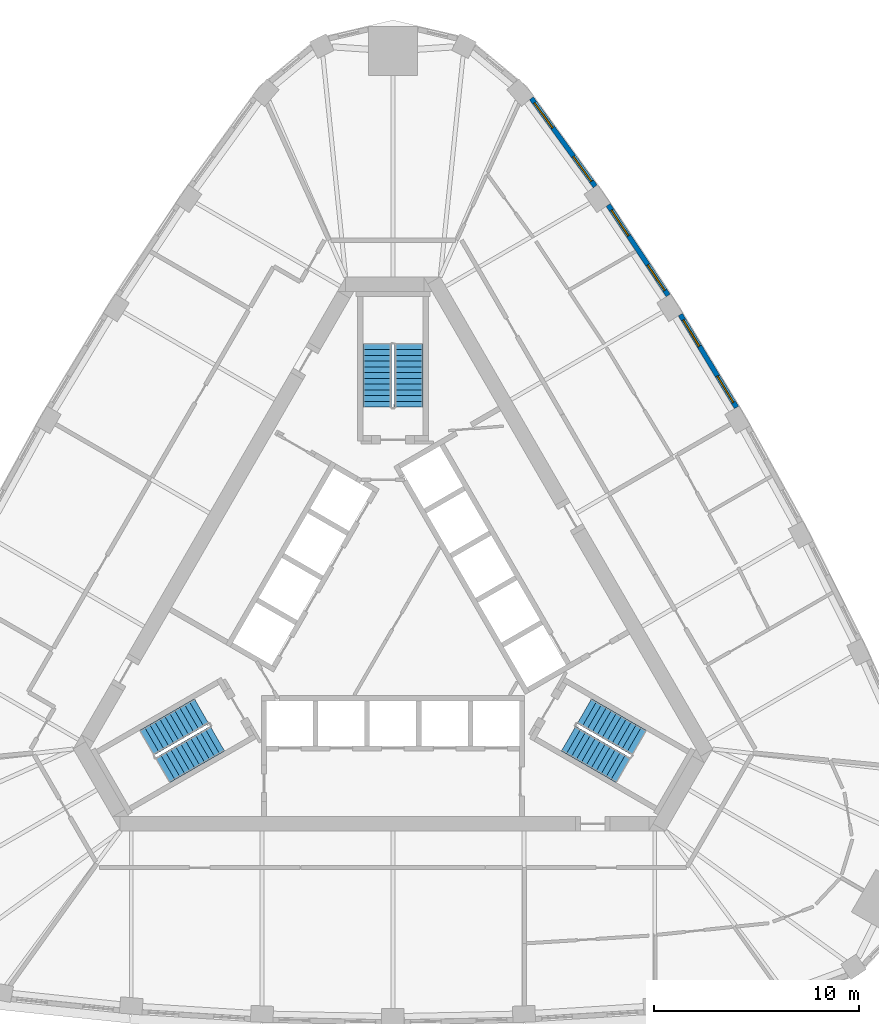
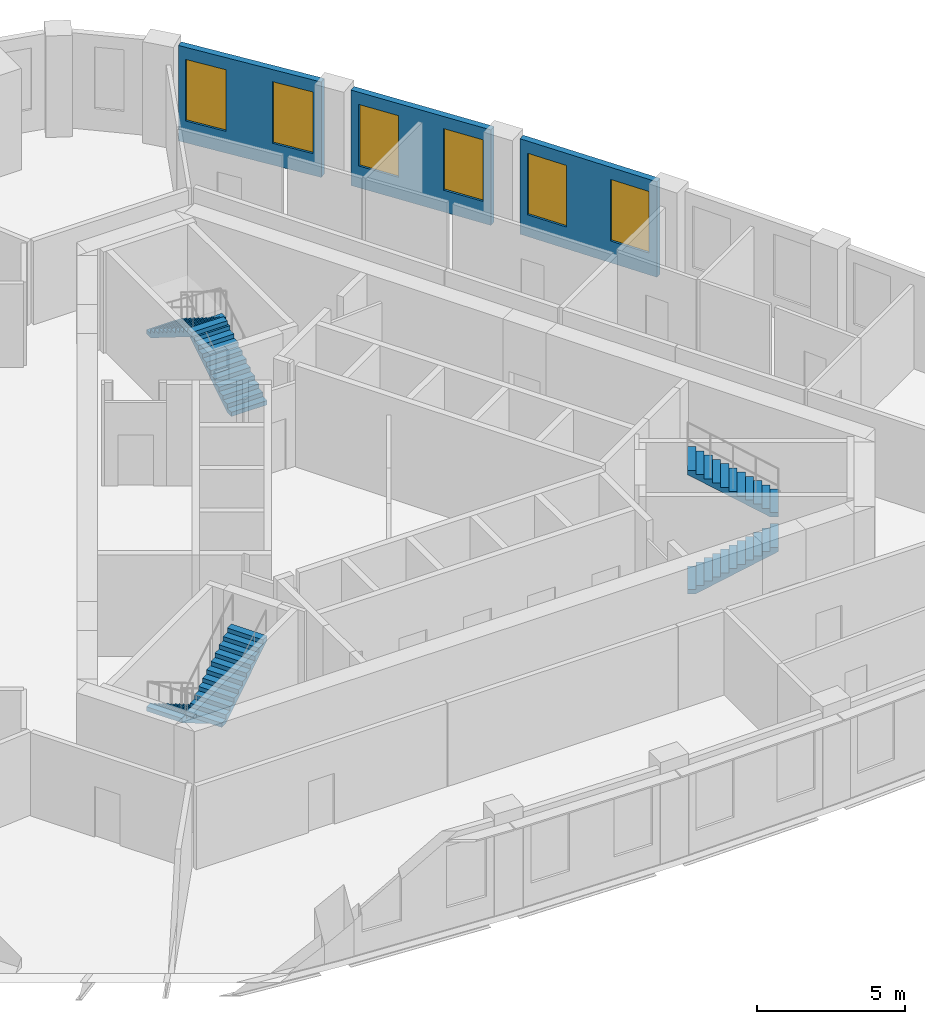
# One storey, part 9 of 10: 6 stair flights, 6 windows, 3 walls, 6 openings, 3 elements without a shape of their own.
"""IFC4 building model written with IfcOpenShell, lengths in metres."""

from ifc_helpers import new_model, si_unit, direction, frame, frame_2d, origin, place, context, subcontext, project, spatial, polyline, rectangle, outline, extrude, material, layer, layer_set, type_object, element, fill, aggregate, save


model = new_model("IFC4")

# Units and contexts
model_context = context("Model", 3, precision=1e-05, world=origin(), true_north=direction((0.0, 1.0)))
body_context = subcontext(model_context, "Body", "Model", "MODEL_VIEW")
ifc_project = project(units=[si_unit("LENGTHUNIT", "METRE"), si_unit("AREAUNIT", "SQUARE_METRE"), si_unit("VOLUMEUNIT", "CUBIC_METRE"), si_unit("PLANEANGLEUNIT", "RADIAN"), si_unit("MASSUNIT", "GRAM", prefix="KILO")], contexts=[model_context])

# Site, building, storey
site_placement = place(None, origin())
site = spatial("IfcSite", under=ifc_project, at=site_placement, CompositionType="ELEMENT")
building_placement = place(site_placement, origin())
building = spatial("IfcBuilding", under=site, at=building_placement, Name="Mestral Congress Tower", CompositionType="ELEMENT")
storey_placement = place(building_placement, frame((0.0, 0.0, 231.0)))
storey = spatial("IfcBuildingStorey", under=building, at=storey_placement, Name="L54", CompositionType="ELEMENT", Elevation=231.0)

# Wall, openings, windows
ifc_material_1 = material(Name="Precast concrete C40/50 with limestone facing", Category="masonry")
ifc_layer = layer(ifc_material_1, 0.239990234375)
ifc_layer_set = layer_set([ifc_layer], Name="Precast concrete C40/50 with limestone facing")
wall_type = type_object("IfcWallType", Name="Facade stone wall 240", PredefinedType="SOLIDWALL", material=ifc_layer_set)
wall_1_placement = place(storey_placement, frame((16.78173828125, 10.331298828125, 0.0), z_axis=(0.0, 0.0, 1.0), x_axis=(-0.517846166225, 0.855473756538, 0.0)))
wall_1 = element("IfcWall", 1, at=wall_1_placement, inside=storey, type_object=wall_type, Name="Facade wall F1-03", PredefinedType="SOLIDWALL", context=body_context, shape_type="SweptSolid", body=[
    extrude(rectangle(XDim=5.298095703125, YDim=0.239990234375, at=frame_2d((2.64892578125, 0.0))), origin(), (0.0, 0.0, 1.0), 3.949951171875),
])
opening_1_placement = place(wall_1_placement, frame((0.29443359375, 0.0, 0.89990234375)))
opening_1 = element("IfcOpeningElement", 2, at=opening_1_placement, cuts=wall_1, Name="Opening W4", PredefinedType="OPENING", context=body_context, shape_type="SweptSolid", body=[
    extrude(rectangle(XDim=1.5, YDim=2.550048828125, at=frame_2d((0.75, 1.27490234375))), frame((0.0, 0.1298828125, 0.0), z_axis=(0.0, -1.0, 0.0), x_axis=(1.0, 0.0, 0.0)), (0.0, 0.0, 1.0), 0.260009765625),
])
opening_2_placement = place(wall_1_placement, frame((3.503662109375, 0.0, 0.89990234375)))
opening_2 = element("IfcOpeningElement", 3, at=opening_2_placement, cuts=wall_1, Name="Opening W4", PredefinedType="OPENING", context=body_context, shape_type="SweptSolid", body=[
    extrude(rectangle(XDim=1.5, YDim=2.550048828125, at=frame_2d((0.75, 1.27490234375))), frame((0.0, 0.1298828125, 0.0), z_axis=(0.0, -1.0, 0.0), x_axis=(1.0, 0.0, 0.0)), (0.0, 0.0, 1.0), 0.260009765625),
])
ifc_material_2 = material(Name="Clear low-emissivity double glazing", Category="glass")
window_type = type_object("IfcWindowType", Name="Facade punched window 1500 x 2550 sill 900", PartitioningType="SINGLE_PANEL", PredefinedType="WINDOW", material=ifc_material_2)
window_1_placement = place(opening_1_placement, origin())
window_1 = element("IfcWindow", 4, at=window_1_placement, inside=storey, type_object=window_type, Name="Window F1-03a", OverallHeight=2.550048828125, OverallWidth=1.5, PartitioningType="SINGLE_PANEL", PredefinedType="WINDOW", context=body_context, shape_type="SweptSolid", body=[
    extrude(rectangle(XDim=1.5, YDim=2.550048828125, at=frame_2d((0.75, 1.27490234375))), frame((0.0, 0.0400390625, 0.0), z_axis=(0.0, -1.0, 0.0), x_axis=(1.0, 0.0, 0.0)), (0.0, 0.0, 1.0), 0.06005859375),
])
fill(opening_1, window_1)
window_2_placement = place(opening_2_placement, origin())
window_2 = element("IfcWindow", 5, at=window_2_placement, inside=storey, type_object=window_type, Name="Window F1-03b", OverallHeight=2.550048828125, OverallWidth=1.5, PartitioningType="SINGLE_PANEL", PredefinedType="WINDOW", context=body_context, shape_type="SweptSolid", body=[
    extrude(rectangle(XDim=1.5, YDim=2.550048828125, at=frame_2d((0.75, 1.27490234375))), frame((0.0, 0.0400390625, 0.0), z_axis=(0.0, -1.0, 0.0), x_axis=(1.0, 0.0, 0.0)), (0.0, 0.0, 1.0), 0.06005859375),
])
fill(opening_2, window_2)

wall_2_placement = place(storey_placement, frame((13.442138671875, 15.803466796875, 0.0), z_axis=(0.0, 0.0, 1.0), x_axis=(-0.552901821755, 0.833246407433, 0.0)))
wall_2 = element("IfcWall", 6, at=wall_2_placement, inside=storey, type_object=wall_type, Name="Facade wall F1-04", PredefinedType="SOLIDWALL", context=body_context, shape_type="SweptSolid", body=[
    extrude(rectangle(XDim=5.29833984375, YDim=0.239990234375, at=frame_2d((2.649169921875, 0.0))), origin(), (0.0, 0.0, 1.0), 3.949951171875),
])
opening_3_placement = place(wall_2_placement, frame((0.294677734375, 0.0, 0.89990234375)))
opening_3 = element("IfcOpeningElement", 7, at=opening_3_placement, cuts=wall_2, Name="Opening W4", PredefinedType="OPENING", context=body_context, shape_type="SweptSolid", body=[
    extrude(rectangle(XDim=1.5, YDim=2.550048828125, at=frame_2d((0.75, 1.27490234375))), frame((0.0, 0.1298828125, 0.0), z_axis=(0.0, -1.0, 0.0), x_axis=(1.0, 0.0, 0.0)), (0.0, 0.0, 1.0), 0.260009765625),
])
opening_4_placement = place(wall_2_placement, frame((3.50390625, 0.0, 0.89990234375)))
opening_4 = element("IfcOpeningElement", 8, at=opening_4_placement, cuts=wall_2, Name="Opening W4", PredefinedType="OPENING", context=body_context, shape_type="SweptSolid", body=[
    extrude(rectangle(XDim=1.5, YDim=2.550048828125, at=frame_2d((0.75, 1.27490234375))), frame((0.0, 0.1298828125, 0.0), z_axis=(0.0, -1.0, 0.0), x_axis=(1.0, 0.0, 0.0)), (0.0, 0.0, 1.0), 0.260009765625),
])
window_3_placement = place(opening_3_placement, origin())
window_3 = element("IfcWindow", 9, at=window_3_placement, inside=storey, type_object=window_type, Name="Window F1-04a", OverallHeight=2.550048828125, OverallWidth=1.5, PartitioningType="SINGLE_PANEL", PredefinedType="WINDOW", context=body_context, shape_type="SweptSolid", body=[
    extrude(rectangle(XDim=1.5, YDim=2.550048828125, at=frame_2d((0.75, 1.27490234375))), frame((0.0, 0.0400390625, 0.0), z_axis=(0.0, -1.0, 0.0), x_axis=(1.0, 0.0, 0.0)), (0.0, 0.0, 1.0), 0.06005859375),
])
fill(opening_3, window_3)
window_4_placement = place(opening_4_placement, origin())
window_4 = element("IfcWindow", 10, at=window_4_placement, inside=storey, type_object=window_type, Name="Window F1-04b", OverallHeight=2.550048828125, OverallWidth=1.5, PartitioningType="SINGLE_PANEL", PredefinedType="WINDOW", context=body_context, shape_type="SweptSolid", body=[
    extrude(rectangle(XDim=1.5, YDim=2.550048828125, at=frame_2d((0.75, 1.27490234375))), frame((0.0, 0.0400390625, 0.0), z_axis=(0.0, -1.0, 0.0), x_axis=(1.0, 0.0, 0.0)), (0.0, 0.0, 1.0), 0.06005859375),
])
fill(opening_4, window_4)

wall_3_placement = place(storey_placement, frame((9.87841796875, 21.13232421875, 0.0), z_axis=(0.0, 0.0, 1.0), x_axis=(-0.586998456641, 0.80958805074, 0.0)))
wall_3 = element("IfcWall", 11, at=wall_3_placement, inside=storey, type_object=wall_type, Name="Facade wall F1-05", PredefinedType="SOLIDWALL", context=body_context, shape_type="SweptSolid", body=[
    extrude(rectangle(XDim=5.310791015625, YDim=0.239990234375, at=frame_2d((2.6552734375, 0.0))), origin(), (0.0, 0.0, 1.0), 3.949951171875),
])
opening_5_placement = place(wall_3_placement, frame((0.306396484375, 0.0, 0.89990234375)))
opening_5 = element("IfcOpeningElement", 12, at=opening_5_placement, cuts=wall_3, Name="Opening W4", PredefinedType="OPENING", context=body_context, shape_type="SweptSolid", body=[
    extrude(rectangle(XDim=1.5, YDim=2.550048828125, at=frame_2d((0.75, 1.27490234375))), frame((0.0, 0.1298828125, 0.0), z_axis=(0.0, -1.0, 0.0), x_axis=(1.0, 0.0, 0.0)), (0.0, 0.0, 1.0), 0.260009765625),
])
opening_6_placement = place(wall_3_placement, frame((3.539306640625, 0.0, 0.89990234375)))
opening_6 = element("IfcOpeningElement", 13, at=opening_6_placement, cuts=wall_3, Name="Opening W4", PredefinedType="OPENING", context=body_context, shape_type="SweptSolid", body=[
    extrude(rectangle(XDim=1.5, YDim=2.550048828125, at=frame_2d((0.75, 1.27490234375))), frame((0.0, 0.1298828125, 0.0), z_axis=(0.0, -1.0, 0.0), x_axis=(1.0, 0.0, 0.0)), (0.0, 0.0, 1.0), 0.260009765625),
])
window_5_placement = place(opening_5_placement, origin())
window_5 = element("IfcWindow", 14, at=window_5_placement, inside=storey, type_object=window_type, Name="Window F1-05a", OverallHeight=2.550048828125, OverallWidth=1.5, PartitioningType="SINGLE_PANEL", PredefinedType="WINDOW", context=body_context, shape_type="SweptSolid", body=[
    extrude(rectangle(XDim=1.5, YDim=2.550048828125, at=frame_2d((0.75, 1.27490234375))), frame((0.0, 0.0400390625, 0.0), z_axis=(0.0, -1.0, 0.0), x_axis=(1.0, 0.0, 0.0)), (0.0, 0.0, 1.0), 0.06005859375),
])
fill(opening_5, window_5)
window_6_placement = place(opening_6_placement, origin())
window_6 = element("IfcWindow", 15, at=window_6_placement, inside=storey, type_object=window_type, Name="Window F1-05b", OverallHeight=2.550048828125, OverallWidth=1.5, PartitioningType="SINGLE_PANEL", PredefinedType="WINDOW", context=body_context, shape_type="SweptSolid", body=[
    extrude(rectangle(XDim=1.5, YDim=2.550048828125, at=frame_2d((0.75, 1.27490234375))), frame((0.0, 0.0400390625, 0.0), z_axis=(0.0, -1.0, 0.0), x_axis=(1.0, 0.0, 0.0)), (0.0, 0.0, 1.0), 0.06005859375),
])
fill(opening_6, window_6)

# Stair, stair flights
ifc_material_3 = material(Name="Concrete C60/75", Category="concrete")
stair_type = type_object("IfcStairType", Name="Exit stair 1400", PredefinedType="HALF_TURN_STAIR", material=ifc_material_3)
placement = place(storey_placement, origin())
stair_1 = element("IfcStair", 16, at=placement, inside=storey, type_object=stair_type, Name="L54 ST1", PredefinedType="HALF_TURN_STAIR")
stair_flight_type = type_object("IfcStairFlightType", Name="Exit stair flight 1400", PredefinedType="STRAIGHT", material=ifc_material_3)
stair_flight_1_placement = place(storey_placement, frame((8.575927734375, -5.84619140625, 0.0), z_axis=(0.0, 0.0, 1.0), x_axis=(0.866025403784, -0.5, 0.0)))
stair_flight_1 = element("IfcStairFlight", 17, at=stair_flight_1_placement, type_object=stair_flight_type, Name="ST1 flight 1", NumberOfRisers=12, NumberOfTreads=11, PredefinedType="STRAIGHT", RiserHeight=0.175, TreadLength=0.28, context=body_context, shape_type="SweptSolid", body=[
    extrude(outline(polyline([(0.0, 0.0), (0.0, 0.175048828125), (0.280029296875, 0.175048828125), (0.280029296875, 0.35009765625), (0.56005859375, 0.35009765625), (0.56005859375, 0.52490234375), (0.840087890625, 0.52490234375), (0.840087890625, 0.699951171875), (1.1201171875, 0.699951171875), (1.1201171875, 0.875), (1.39990234375, 0.875), (1.39990234375, 1.050048828125), (1.679931640625, 1.050048828125), (1.679931640625, 1.22509765625), (1.9599609375, 1.22509765625), (1.9599609375, 1.39990234375), (2.239990234375, 1.39990234375), (2.239990234375, 1.574951171875), (2.52001953125, 1.574951171875), (2.52001953125, 1.75), (2.800048828125, 1.75), (2.800048828125, 1.925048828125), (3.080078125, 1.925048828125), (3.080078125, 2.10009765625), (3.080078125, 1.748291015625), (0.28271484375, 0.0), (0.0, 0.0)])), frame((0.0, 0.699951171875, 0.0), z_axis=(0.0, -1.0, 0.0), x_axis=(1.0, 0.0, 0.0)), (0.0, 0.0, 1.0), 1.39990234375),
])
stair_flight_2_placement = place(storey_placement, frame((12.018310546875, -6.0439453125, 2.10009765625), z_axis=(0.0, 0.0, 1.0), x_axis=(-0.866025403784, 0.5, 0.0)))
stair_flight_2 = element("IfcStairFlight", 18, at=stair_flight_2_placement, type_object=stair_flight_type, Name="ST1 flight 2", NumberOfRisers=12, NumberOfTreads=11, PredefinedType="STRAIGHT", RiserHeight=0.175, TreadLength=0.28, context=body_context, shape_type="SweptSolid", body=[
    extrude(outline(polyline([(0.0, 0.0), (0.0, 0.175048828125), (0.280029296875, 0.175048828125), (0.280029296875, 0.35009765625), (0.56005859375, 0.35009765625), (0.56005859375, 0.52490234375), (0.840087890625, 0.52490234375), (0.840087890625, 0.699951171875), (1.1201171875, 0.699951171875), (1.1201171875, 0.875), (1.39990234375, 0.875), (1.39990234375, 1.050048828125), (1.679931640625, 1.050048828125), (1.679931640625, 1.22509765625), (1.9599609375, 1.22509765625), (1.9599609375, 1.39990234375), (2.239990234375, 1.39990234375), (2.239990234375, 1.574951171875), (2.52001953125, 1.574951171875), (2.52001953125, 1.75), (2.800048828125, 1.75), (2.800048828125, 1.925048828125), (3.080078125, 1.925048828125), (3.080078125, 2.10009765625), (3.080078125, 1.748291015625), (0.28271484375, 0.0), (0.0, 0.0)])), frame((0.0, 0.699951171875, 0.0), z_axis=(0.0, -1.0, 0.0), x_axis=(1.0, 0.0, 0.0)), (0.0, 0.0, 1.0), 1.39990234375),
])
aggregate(stair_1, [stair_flight_1, stair_flight_2])

stair_2 = element("IfcStair", 19, at=placement, inside=storey, type_object=stair_type, Name="L54 ST2", PredefinedType="HALF_TURN_STAIR")
stair_flight_3_placement = place(storey_placement, frame((0.77490234375, 10.35009765625, 0.0), z_axis=(0.0, 0.0, 1.0), x_axis=(0.0, 1.0, 0.0)))
stair_flight_3 = element("IfcStairFlight", 20, at=stair_flight_3_placement, type_object=stair_flight_type, Name="ST2 flight 1", NumberOfRisers=12, NumberOfTreads=11, PredefinedType="STRAIGHT", RiserHeight=0.175, TreadLength=0.28, context=body_context, shape_type="SweptSolid", body=[
    extrude(outline(polyline([(0.0, 0.0), (0.0, 0.175048828125), (0.280029296875, 0.175048828125), (0.280029296875, 0.35009765625), (0.56005859375, 0.35009765625), (0.56005859375, 0.52490234375), (0.840087890625, 0.52490234375), (0.840087890625, 0.699951171875), (1.1201171875, 0.699951171875), (1.1201171875, 0.875), (1.39990234375, 0.875), (1.39990234375, 1.050048828125), (1.679931640625, 1.050048828125), (1.679931640625, 1.22509765625), (1.9599609375, 1.22509765625), (1.9599609375, 1.39990234375), (2.239990234375, 1.39990234375), (2.239990234375, 1.574951171875), (2.52001953125, 1.574951171875), (2.52001953125, 1.75), (2.800048828125, 1.75), (2.800048828125, 1.925048828125), (3.080078125, 1.925048828125), (3.080078125, 2.10009765625), (3.080078125, 1.748291015625), (0.28271484375, 0.0), (0.0, 0.0)])), frame((0.0, 0.699951171875, 0.0), z_axis=(0.0, -1.0, 0.0), x_axis=(1.0, 0.0, 0.0)), (0.0, 0.0, 1.0), 1.39990234375),
])
stair_flight_4_placement = place(storey_placement, frame((-0.77490234375, 13.429931640625, 2.10009765625), z_axis=(0.0, 0.0, 1.0), x_axis=(0.0, -1.0, 0.0)))
stair_flight_4 = element("IfcStairFlight", 21, at=stair_flight_4_placement, type_object=stair_flight_type, Name="ST2 flight 2", NumberOfRisers=12, NumberOfTreads=11, PredefinedType="STRAIGHT", RiserHeight=0.175, TreadLength=0.28, context=body_context, shape_type="SweptSolid", body=[
    extrude(outline(polyline([(0.0, 0.0), (0.0, 0.175048828125), (0.280029296875, 0.175048828125), (0.280029296875, 0.35009765625), (0.56005859375, 0.35009765625), (0.56005859375, 0.52490234375), (0.840087890625, 0.52490234375), (0.840087890625, 0.699951171875), (1.1201171875, 0.699951171875), (1.1201171875, 0.875), (1.39990234375, 0.875), (1.39990234375, 1.050048828125), (1.679931640625, 1.050048828125), (1.679931640625, 1.22509765625), (1.9599609375, 1.22509765625), (1.9599609375, 1.39990234375), (2.239990234375, 1.39990234375), (2.239990234375, 1.574951171875), (2.52001953125, 1.574951171875), (2.52001953125, 1.75), (2.800048828125, 1.75), (2.800048828125, 1.925048828125), (3.080078125, 1.925048828125), (3.080078125, 2.10009765625), (3.080078125, 1.748291015625), (0.28271484375, 0.0), (0.0, 0.0)])), frame((0.0, 0.699951171875, 0.0), z_axis=(0.0, -1.0, 0.0), x_axis=(1.0, 0.0, 0.0)), (0.0, 0.0, 1.0), 1.39990234375),
])
aggregate(stair_2, [stair_flight_3, stair_flight_4])

stair_3 = element("IfcStair", 22, at=placement, inside=storey, type_object=stair_type, Name="L54 ST3", PredefinedType="HALF_TURN_STAIR")
stair_flight_5_placement = place(storey_placement, frame((-9.350830078125, -4.50390625, 0.0), z_axis=(0.0, 0.0, 1.0), x_axis=(-0.866025403784, -0.5, 0.0)))
stair_flight_5 = element("IfcStairFlight", 23, at=stair_flight_5_placement, type_object=stair_flight_type, Name="ST3 flight 1", NumberOfRisers=12, NumberOfTreads=11, PredefinedType="STRAIGHT", RiserHeight=0.175, TreadLength=0.28, context=body_context, shape_type="SweptSolid", body=[
    extrude(outline(polyline([(0.0, 0.0), (0.0, 0.175048828125), (0.280029296875, 0.175048828125), (0.280029296875, 0.35009765625), (0.56005859375, 0.35009765625), (0.56005859375, 0.52490234375), (0.840087890625, 0.52490234375), (0.840087890625, 0.699951171875), (1.1201171875, 0.699951171875), (1.1201171875, 0.875), (1.39990234375, 0.875), (1.39990234375, 1.050048828125), (1.679931640625, 1.050048828125), (1.679931640625, 1.22509765625), (1.9599609375, 1.22509765625), (1.9599609375, 1.39990234375), (2.239990234375, 1.39990234375), (2.239990234375, 1.574951171875), (2.52001953125, 1.574951171875), (2.52001953125, 1.75), (2.800048828125, 1.75), (2.800048828125, 1.925048828125), (3.080078125, 1.925048828125), (3.080078125, 2.10009765625), (3.080078125, 1.748291015625), (0.28271484375, 0.0), (0.0, 0.0)])), frame((0.0, 0.699951171875, 0.0), z_axis=(0.0, -1.0, 0.0), x_axis=(1.0, 0.0, 0.0)), (0.0, 0.0, 1.0), 1.39990234375),
])
stair_flight_6_placement = place(storey_placement, frame((-11.2431640625, -7.38623046875, 2.10009765625), z_axis=(0.0, 0.0, 1.0), x_axis=(0.866025403784, 0.5, 0.0)))
stair_flight_6 = element("IfcStairFlight", 24, at=stair_flight_6_placement, type_object=stair_flight_type, Name="ST3 flight 2", NumberOfRisers=12, NumberOfTreads=11, PredefinedType="STRAIGHT", RiserHeight=0.175, TreadLength=0.28, context=body_context, shape_type="SweptSolid", body=[
    extrude(outline(polyline([(0.0, 0.0), (0.0, 0.175048828125), (0.280029296875, 0.175048828125), (0.280029296875, 0.35009765625), (0.56005859375, 0.35009765625), (0.56005859375, 0.52490234375), (0.840087890625, 0.52490234375), (0.840087890625, 0.699951171875), (1.1201171875, 0.699951171875), (1.1201171875, 0.875), (1.39990234375, 0.875), (1.39990234375, 1.050048828125), (1.679931640625, 1.050048828125), (1.679931640625, 1.22509765625), (1.9599609375, 1.22509765625), (1.9599609375, 1.39990234375), (2.239990234375, 1.39990234375), (2.239990234375, 1.574951171875), (2.52001953125, 1.574951171875), (2.52001953125, 1.75), (2.800048828125, 1.75), (2.800048828125, 1.925048828125), (3.080078125, 1.925048828125), (3.080078125, 2.10009765625), (3.080078125, 1.748291015625), (0.28271484375, 0.0), (0.0, 0.0)])), frame((0.0, 0.699951171875, 0.0), z_axis=(0.0, -1.0, 0.0), x_axis=(1.0, 0.0, 0.0)), (0.0, 0.0, 1.0), 1.39990234375),
])
aggregate(stair_3, [stair_flight_5, stair_flight_6])

save(model, "model.ifc")
